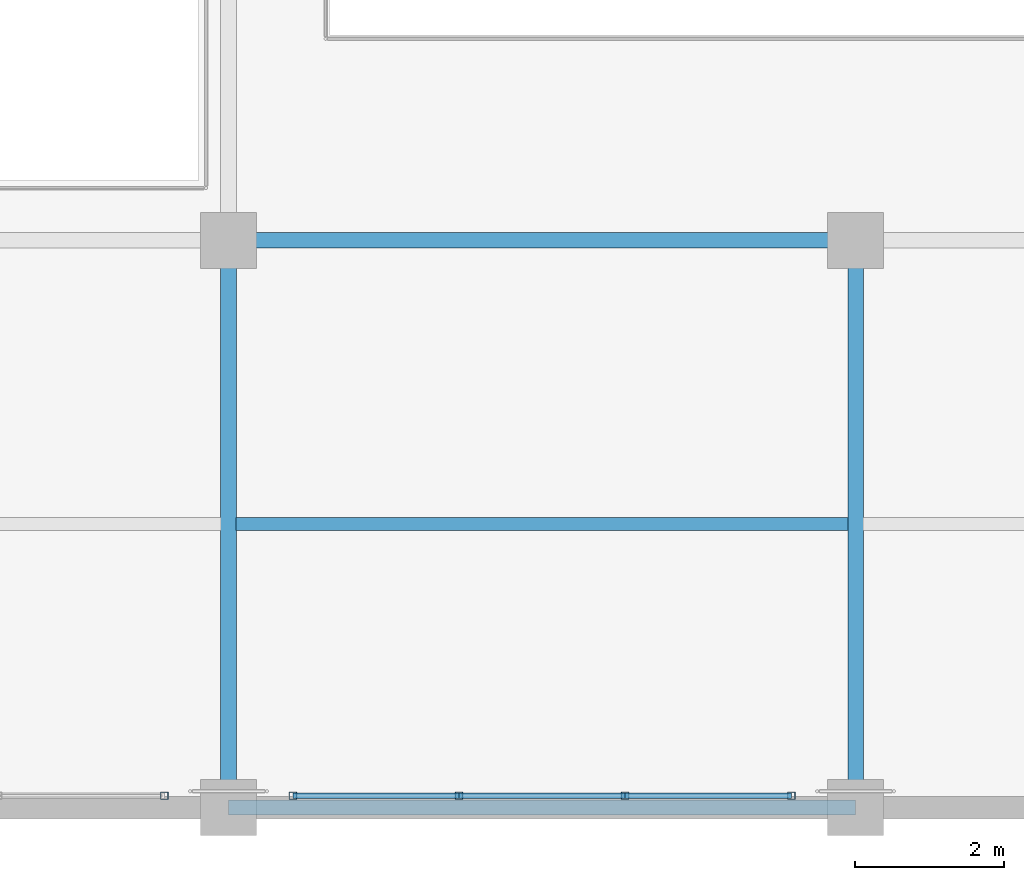
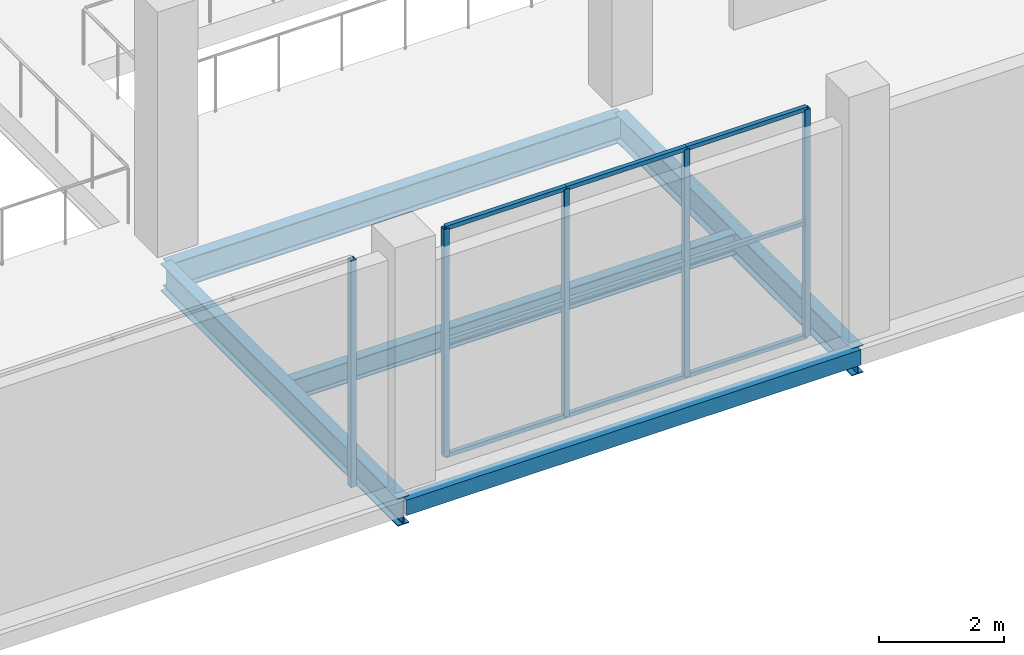
# One storey, part 15 of 51: 14 members, 5 beams, 2 elements without a shape of their own.
"""IFC4 building model written with IfcOpenShell, lengths in metres."""

from ifc_helpers import new_model, si_unit, direction, frame, origin, origin_2d, place, context, subcontext, project, spatial, hollow_rectangle, i_section, extrude, material, material_profile, profile_set, type_object, element, aggregate, save


model = new_model("IFC4")

# Units and contexts
model_context = context("Model", 3, precision=1e-05, world=origin(), true_north=direction((0.0, 1.0)))
body_context = subcontext(model_context, "Body", "Model", "MODEL_VIEW")
ifc_project = project(units=[si_unit("LENGTHUNIT", "METRE"), si_unit("AREAUNIT", "SQUARE_METRE"), si_unit("VOLUMEUNIT", "CUBIC_METRE"), si_unit("PLANEANGLEUNIT", "RADIAN"), si_unit("MASSUNIT", "GRAM", prefix="KILO")], contexts=[model_context])

# Site, building, storey
site_placement = place(None, origin())
site = spatial("IfcSite", under=ifc_project, at=site_placement, CompositionType="ELEMENT")
building_placement = place(site_placement, origin())
building = spatial("IfcBuilding", under=site, at=building_placement, Name="Zuvorla Pavilion Media Centre", CompositionType="ELEMENT")
storey_placement = place(building_placement, frame((0.0, 0.0, 4.800048828125)))
storey = spatial("IfcBuildingStorey", under=building, at=storey_placement, Name="L01", CompositionType="ELEMENT", Elevation=4.800048828125)

# Beams
ifc_material_1 = material(Name="Steel S355", Category="steel")
ifc_material_profile_1 = material_profile(ifc_material_1, hollow_rectangle(XDim=0.199951171875, YDim=0.300048828125, WallThickness=0.012451171875, at=origin_2d()), Name="RHS 300x200x12.5")
ifc_profile_set_1 = profile_set([ifc_material_profile_1], Name="Steel S355")
beam_type_1 = type_object("IfcBeamType", Name="BM-SP-RHS300", PredefinedType="SPANDREL", material=ifc_profile_set_1)
beam_1_placement = place(storey_placement, frame((41.60009765625, 6.0, -0.578125), z_axis=(1.0, 0.0, 0.0), x_axis=(0.0, 1.0, 0.0)))
element("IfcBeam", 1, at=beam_1_placement, inside=storey, type_object=beam_type_1, Name="L01 spandrel SP01 434", PredefinedType="SPANDREL", context=body_context, shape_type="SweptSolid", body=[
    extrude(hollow_rectangle(XDim=0.199951171875, YDim=0.300048828125, WallThickness=0.012451171875, at=origin_2d()), origin(), (0.0, 0.0, 1.0), 8.39990234375),
])
ifc_material_profile_2 = material_profile(ifc_material_1, i_section(OverallWidth=0.1787109375, OverallDepth=0.409423828125, WebThickness=0.0087890625, FlangeThickness=0.014404296875, FilletRadius=0.01025390625, at=origin_2d()), Name="UB 406x178x67")
ifc_profile_set_2 = profile_set([ifc_material_profile_2], Name="Steel S355")
beam_type_2 = type_object("IfcBeamType", Name="BM-UB406", PredefinedType="JOIST", material=ifc_profile_set_2)
beam_2_placement = place(storey_placement, frame((41.699951171875, 9.800048828125, -0.6328125), z_axis=(1.0, 0.0, 0.0), x_axis=(0.0, 1.0, 0.0)))
element("IfcBeam", 2, at=beam_2_placement, inside=storey, type_object=beam_type_2, Name="L01 joist J02 712", PredefinedType="JOIST", context=body_context, shape_type="SweptSolid", body=[
    extrude(i_section(OverallWidth=0.1787109375, OverallDepth=0.409423828125, WebThickness=0.0087890625, FlangeThickness=0.014404296875, FilletRadius=0.01025390625, at=origin_2d()), origin(), (0.0, 0.0, 1.0), 8.199951171875),
])
ifc_material_profile_3 = material_profile(ifc_material_1, i_section(OverallWidth=0.2099609375, OverallDepth=0.53662109375, WebThickness=0.0107421875, FlangeThickness=0.017333984375, FilletRadius=0.0126953125, at=origin_2d()), Name="UB 533x210x101")
ifc_profile_set_3 = profile_set([ifc_material_profile_3], Name="Steel S355")
beam_type_3 = type_object("IfcBeamType", Name="BM-UB533", PredefinedType="BEAM", material=ifc_profile_set_3)
beam_3_placement = place(storey_placement, frame((41.60009765625, 13.60009765625, -0.6962890625), z_axis=(1.0, 0.0, 0.0), x_axis=(0.0, 1.0, 0.0)))
element("IfcBeam", 3, at=beam_3_placement, inside=storey, type_object=beam_type_3, Name="L01 beam B08 450", PredefinedType="BEAM", context=body_context, shape_type="SweptSolid", body=[
    extrude(i_section(OverallWidth=0.2099609375, OverallDepth=0.53662109375, WebThickness=0.0107421875, FlangeThickness=0.017333984375, FilletRadius=0.0126953125, at=origin_2d()), origin(), (0.0, 0.0, 1.0), 8.39990234375),
])
for number, where, z_axis, x_axis, name in (
    (4, (41.60009765625, 6.0, -0.6962890625), (0.0, 1.0, 0.0), (-1.0, 0.0, 0.0), "L01 beam B08 588"),
    (5, (50.0, 6.0, -0.6962890625), (0.0, 1.0, 0.0), (-1.0, 0.0, 0.0), "L01 beam B08 598"),
):
    element("IfcBeam", number, at=place(storey_placement, frame(where, z_axis=z_axis, x_axis=x_axis)), inside=storey, type_object=beam_type_3, Name=name, PredefinedType="BEAM", context=body_context, shape_type="SweptSolid", body=[
        extrude(i_section(OverallWidth=0.2099609375, OverallDepth=0.53662109375, WebThickness=0.0107421875, FlangeThickness=0.017333984375, FilletRadius=0.0126953125, at=origin_2d()), origin(), (0.0, 0.0, 1.0), 7.60009765625),
    ])

# Curtain wall, member
ifc_material_2 = material(Name="Unitised anodised aluminium and solar glass curtain wall", Category="aluminium")
curtain_wall_type = type_object("IfcCurtainWallType", Name="CW-SYS-86", PredefinedType="USERDEFINED", material=ifc_material_2)
curtain_wall_1_placement = place(storey_placement, origin())
curtain_wall_1 = element("IfcCurtainWall", 6, at=curtain_wall_1_placement, inside=storey, type_object=curtain_wall_type, Name="L01 curtain wall CW86 196", ObjectType="CURTAIN WALL", PredefinedType="USERDEFINED")
ifc_material_3 = material(Name="Anodised aluminium 6063-T6", Category="aluminium")
ifc_material_profile_4 = material_profile(ifc_material_3, hollow_rectangle(XDim=0.10009765625, YDim=0.10009765625, WallThickness=0.00439453125, at=origin_2d()), Name="ALU MULL 100x100")
ifc_profile_set_4 = profile_set([ifc_material_profile_4], Name="Anodised aluminium 6063-T6")
member_type_1 = type_object("IfcMemberType", Name="CW-MULL-100", PredefinedType="MULLION", material=ifc_profile_set_4)
member_1_placement = place(storey_placement, frame((40.7392578125, 6.159912109375, 0.0), z_axis=(0.0, 0.0, 1.0), x_axis=(1.0, 0.0, 0.0)))
member_1 = element("IfcMember", 7, at=member_1_placement, type_object=member_type_1, Name="CW86 mullion 4", PredefinedType="MULLION", context=body_context, shape_type="SweptSolid", body=[
    extrude(hollow_rectangle(XDim=0.10009765625, YDim=0.10009765625, WallThickness=0.00439453125, at=origin_2d()), origin(), (0.0, 0.0, 1.0), 4.449951171875),
])
aggregate(curtain_wall_1, [member_1])

# Curtain wall, members
curtain_wall_2_placement = place(storey_placement, origin())
curtain_wall_2 = element("IfcCurtainWall", 8, at=curtain_wall_2_placement, inside=storey, type_object=curtain_wall_type, Name="L01 curtain wall CW86 197", ObjectType="CURTAIN WALL", PredefinedType="USERDEFINED")
member_2_placement = place(storey_placement, frame((42.460693359375, 6.159912109375, 0.0), z_axis=(0.0, 0.0, 1.0), x_axis=(1.0, 0.0, 0.0)))
member_2 = element("IfcMember", 9, at=member_2_placement, type_object=member_type_1, Name="CW86 mullion 1", PredefinedType="MULLION", context=body_context, shape_type="SweptSolid", body=[
    extrude(hollow_rectangle(XDim=0.10009765625, YDim=0.10009765625, WallThickness=0.00439453125, at=origin_2d()), origin(), (0.0, 0.0, 1.0), 4.449951171875),
])
member_3_placement = place(storey_placement, frame((44.68701171875, 6.159912109375, 0.0), z_axis=(0.0, 0.0, 1.0), x_axis=(1.0, 0.0, 0.0)))
member_3 = element("IfcMember", 10, at=member_3_placement, type_object=member_type_1, Name="CW86 mullion 2", PredefinedType="MULLION", context=body_context, shape_type="SweptSolid", body=[
    extrude(hollow_rectangle(XDim=0.10009765625, YDim=0.10009765625, WallThickness=0.00439453125, at=origin_2d()), origin(), (0.0, 0.0, 1.0), 4.449951171875),
])
member_4_placement = place(storey_placement, frame((46.9130859375, 6.159912109375, 0.0), z_axis=(0.0, 0.0, 1.0), x_axis=(1.0, 0.0, 0.0)))
member_4 = element("IfcMember", 11, at=member_4_placement, type_object=member_type_1, Name="CW86 mullion 3", PredefinedType="MULLION", context=body_context, shape_type="SweptSolid", body=[
    extrude(hollow_rectangle(XDim=0.10009765625, YDim=0.10009765625, WallThickness=0.00439453125, at=origin_2d()), origin(), (0.0, 0.0, 1.0), 4.449951171875),
])
member_5_placement = place(storey_placement, frame((49.13916015625, 6.159912109375, 0.0), z_axis=(0.0, 0.0, 1.0), x_axis=(1.0, 0.0, 0.0)))
member_5 = element("IfcMember", 12, at=member_5_placement, type_object=member_type_1, Name="CW86 mullion 4", PredefinedType="MULLION", context=body_context, shape_type="SweptSolid", body=[
    extrude(hollow_rectangle(XDim=0.10009765625, YDim=0.10009765625, WallThickness=0.00439453125, at=origin_2d()), origin(), (0.0, 0.0, 1.0), 4.449951171875),
])
ifc_material_profile_5 = material_profile(ifc_material_3, hollow_rectangle(XDim=0.080078125, YDim=0.080078125, WallThickness=0.00390625, at=origin_2d()), Name="ALU TRAN 80x80")
ifc_profile_set_5 = profile_set([ifc_material_profile_5], Name="Anodised aluminium 6063-T6")
member_type_2 = type_object("IfcMemberType", Name="CW-TRAN-80", PredefinedType="USERDEFINED", material=ifc_profile_set_5)
member_6_placement = place(storey_placement, frame((42.460693359375, 6.159912109375, 0.0), z_axis=(1.0, 0.0, 0.0), x_axis=(0.0, 1.0, 0.0)))
member_6 = element("IfcMember", 13, at=member_6_placement, type_object=member_type_2, Name="CW86 transom 1.1", ObjectType="TRANSOM", PredefinedType="USERDEFINED", context=body_context, shape_type="SweptSolid", body=[
    extrude(hollow_rectangle(XDim=0.080078125, YDim=0.080078125, WallThickness=0.00390625, at=origin_2d()), origin(), (0.0, 0.0, 1.0), 2.226318359375),
])
member_7_placement = place(storey_placement, frame((42.460693359375, 6.159912109375, 2.224853515625), z_axis=(1.0, 0.0, 0.0), x_axis=(0.0, 1.0, 0.0)))
member_7 = element("IfcMember", 14, at=member_7_placement, type_object=member_type_2, Name="CW86 transom 1.2", ObjectType="TRANSOM", PredefinedType="USERDEFINED", context=body_context, shape_type="SweptSolid", body=[
    extrude(hollow_rectangle(XDim=0.080078125, YDim=0.080078125, WallThickness=0.00390625, at=origin_2d()), origin(), (0.0, 0.0, 1.0), 2.226318359375),
])
member_8_placement = place(storey_placement, frame((42.460693359375, 6.159912109375, 4.449951171875), z_axis=(1.0, 0.0, 0.0), x_axis=(0.0, 1.0, 0.0)))
member_8 = element("IfcMember", 15, at=member_8_placement, type_object=member_type_2, Name="CW86 transom 1.3", ObjectType="TRANSOM", PredefinedType="USERDEFINED", context=body_context, shape_type="SweptSolid", body=[
    extrude(hollow_rectangle(XDim=0.080078125, YDim=0.080078125, WallThickness=0.00390625, at=origin_2d()), origin(), (0.0, 0.0, 1.0), 2.226318359375),
])
member_9_placement = place(storey_placement, frame((44.68701171875, 6.159912109375, 0.0), z_axis=(1.0, 0.0, 0.0), x_axis=(0.0, 1.0, 0.0)))
member_9 = element("IfcMember", 16, at=member_9_placement, type_object=member_type_2, Name="CW86 transom 2.1", ObjectType="TRANSOM", PredefinedType="USERDEFINED", context=body_context, shape_type="SweptSolid", body=[
    extrude(hollow_rectangle(XDim=0.080078125, YDim=0.080078125, WallThickness=0.00390625, at=origin_2d()), origin(), (0.0, 0.0, 1.0), 2.22607421875),
])
member_10_placement = place(storey_placement, frame((44.68701171875, 6.159912109375, 2.224853515625), z_axis=(1.0, 0.0, 0.0), x_axis=(0.0, 1.0, 0.0)))
member_10 = element("IfcMember", 17, at=member_10_placement, type_object=member_type_2, Name="CW86 transom 2.2", ObjectType="TRANSOM", PredefinedType="USERDEFINED", context=body_context, shape_type="SweptSolid", body=[
    extrude(hollow_rectangle(XDim=0.080078125, YDim=0.080078125, WallThickness=0.00390625, at=origin_2d()), origin(), (0.0, 0.0, 1.0), 2.22607421875),
])
member_11_placement = place(storey_placement, frame((44.68701171875, 6.159912109375, 4.449951171875), z_axis=(1.0, 0.0, 0.0), x_axis=(0.0, 1.0, 0.0)))
member_11 = element("IfcMember", 18, at=member_11_placement, type_object=member_type_2, Name="CW86 transom 2.3", ObjectType="TRANSOM", PredefinedType="USERDEFINED", context=body_context, shape_type="SweptSolid", body=[
    extrude(hollow_rectangle(XDim=0.080078125, YDim=0.080078125, WallThickness=0.00390625, at=origin_2d()), origin(), (0.0, 0.0, 1.0), 2.22607421875),
])
member_12_placement = place(storey_placement, frame((46.9130859375, 6.159912109375, 0.0), z_axis=(1.0, 0.0, 0.0), x_axis=(0.0, 1.0, 0.0)))
member_12 = element("IfcMember", 19, at=member_12_placement, type_object=member_type_2, Name="CW86 transom 3.1", ObjectType="TRANSOM", PredefinedType="USERDEFINED", context=body_context, shape_type="SweptSolid", body=[
    extrude(hollow_rectangle(XDim=0.080078125, YDim=0.080078125, WallThickness=0.00390625, at=origin_2d()), origin(), (0.0, 0.0, 1.0), 2.22607421875),
])
member_13_placement = place(storey_placement, frame((46.9130859375, 6.159912109375, 2.224853515625), z_axis=(1.0, 0.0, 0.0), x_axis=(0.0, 1.0, 0.0)))
member_13 = element("IfcMember", 20, at=member_13_placement, type_object=member_type_2, Name="CW86 transom 3.2", ObjectType="TRANSOM", PredefinedType="USERDEFINED", context=body_context, shape_type="SweptSolid", body=[
    extrude(hollow_rectangle(XDim=0.080078125, YDim=0.080078125, WallThickness=0.00390625, at=origin_2d()), origin(), (0.0, 0.0, 1.0), 2.22607421875),
])
member_14_placement = place(storey_placement, frame((46.9130859375, 6.159912109375, 4.449951171875), z_axis=(1.0, 0.0, 0.0), x_axis=(0.0, 1.0, 0.0)))
member_14 = element("IfcMember", 21, at=member_14_placement, type_object=member_type_2, Name="CW86 transom 3.3", ObjectType="TRANSOM", PredefinedType="USERDEFINED", context=body_context, shape_type="SweptSolid", body=[
    extrude(hollow_rectangle(XDim=0.080078125, YDim=0.080078125, WallThickness=0.00390625, at=origin_2d()), origin(), (0.0, 0.0, 1.0), 2.22607421875),
])
aggregate(curtain_wall_2, [member_2, member_3, member_4, member_5, member_6, member_7, member_8, member_9, member_10, member_11, member_12, member_13, member_14])

save(model, "model.ifc")
